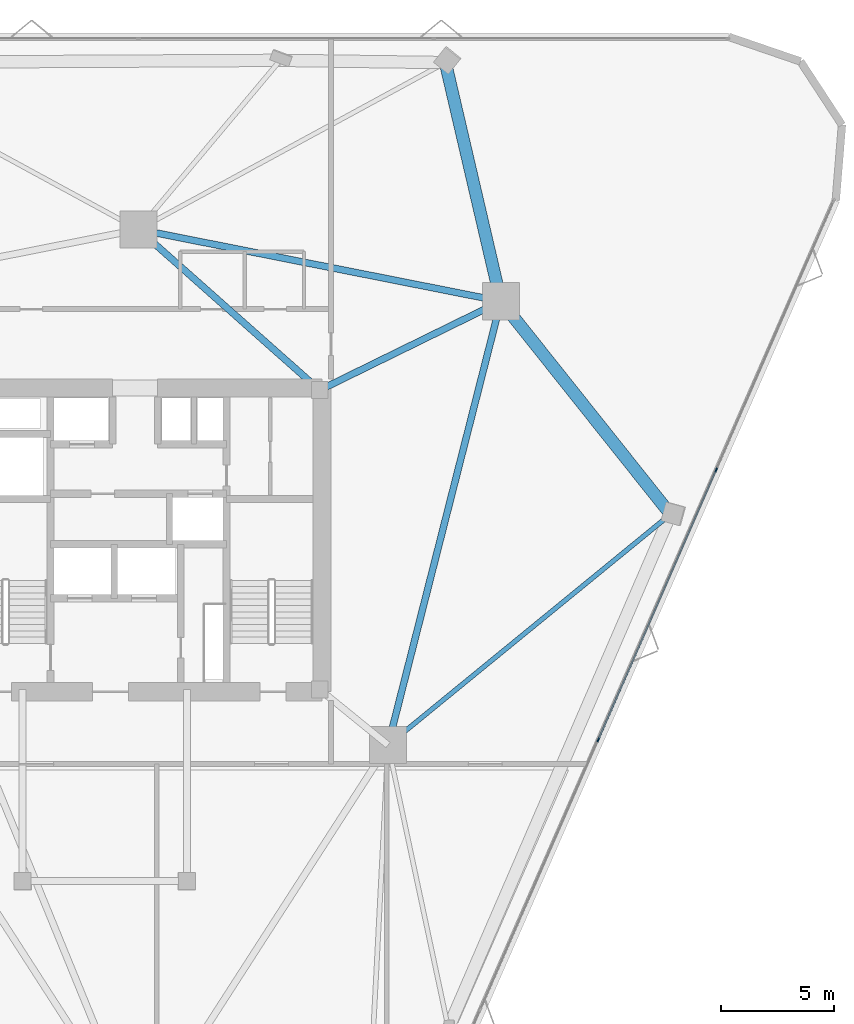
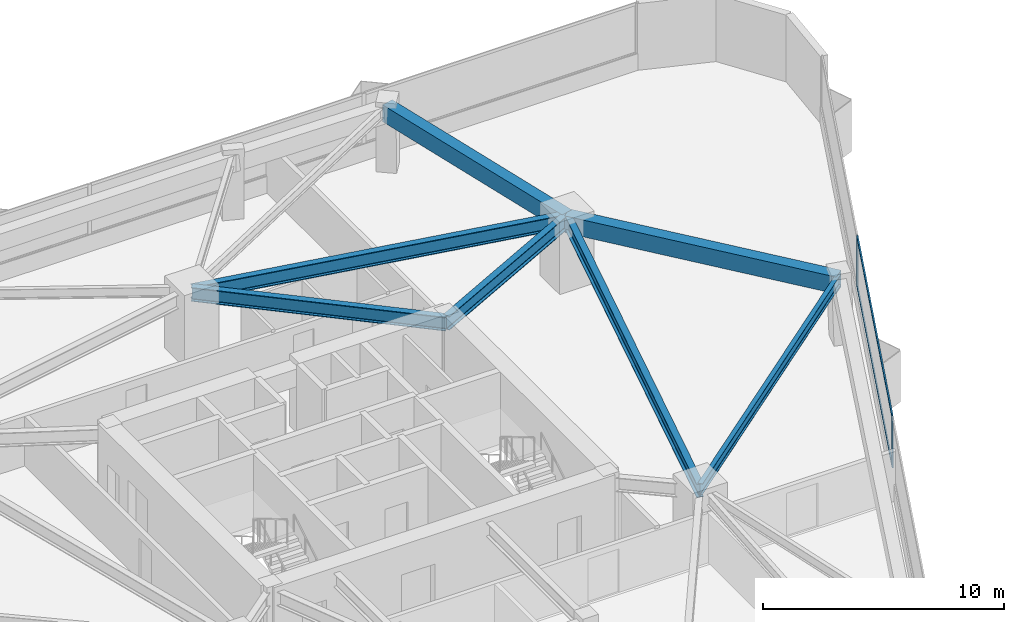
# One storey, part 8 of 18: 7 beams, 4 members, 1 element without a shape of its own.
"""IFC4 building model written with IfcOpenShell, lengths in metres."""

import ifcopenshell
import ifcopenshell.guid

model = None  # the IFC model being written
_history = None  # IfcOwnerHistory: only IFC2X3 demands one
_inside = {}  # id of a spatial element -> (the spatial element, [elements in it])
_under = {}  # id of a project, library or spatial element -> (it, [spatial elements below it])
_declared = {}  # id of a project -> (the project, [libraries it declares])
_typed = {}  # id of a type object -> (the type object, [elements of that type])
_made_of = {}  # id of a material, layer set ... -> (it, [elements and type objects made of it])


def new_model(schema):
    """Start an empty IFC model of exactly this schema.

    Asked for "IFC4X3", IfcOpenShell would pick the latest addendum, in which some entities
    have other attributes; the version numbers below select the first issue.
    IFC2X3 requires an IfcOwnerHistory on every rooted entity: one is made here for all.
    """
    global model, _history
    if schema == "IFC4X3":
        model = ifcopenshell.file(schema_version=(4, 3, 0, 0))
    else:
        model = ifcopenshell.file(schema=schema)
    _inside.clear()
    _under.clear()
    _declared.clear()
    _typed.clear()
    _made_of.clear()
    _history = None
    if model.schema == "IFC2X3":
        org = make("IfcOrganization", Name="unknown")
        user = make(
            "IfcPersonAndOrganization",
            ThePerson=make("IfcPerson", FamilyName="unknown"),
            TheOrganization=org,
        )
        app = make(
            "IfcApplication",
            ApplicationDeveloper=org,
            Version="unknown",
            ApplicationFullName="unknown",
            ApplicationIdentifier="unknown",
        )
        _history = make(
            "IfcOwnerHistory",
            OwningUser=user,
            OwningApplication=app,
            ChangeAction="ADDED",
            CreationDate=0,
        )
    return model


def make(cls, **values):
    """One entity of the class cls with the attributes given. An attribute that is None is left unset."""
    return model.create_entity(
        cls, **{name: value for name, value in values.items() if value is not None}
    )


def rooted(cls, **values):
    """An entity with a GlobalId (a new one), such as an element, a storey or a relation."""
    return make(cls, GlobalId=ifcopenshell.guid.new(), OwnerHistory=_history, **values)


def si_unit(unit_type, name, prefix=None):
    """IfcSIUnit, for example si_unit("LENGTHUNIT", "METRE", prefix="MILLI")."""
    return make("IfcSIUnit", UnitType=unit_type, Prefix=prefix, Name=name)


def assignment(units):
    """IfcUnitAssignment: the units of a project."""
    return None if units is None else make("IfcUnitAssignment", Units=units)


def point(xyz):
    """IfcCartesianPoint."""
    return None if xyz is None else make("IfcCartesianPoint", Coordinates=xyz)


def direction(xyz):
    """IfcDirection."""
    return None if xyz is None else make("IfcDirection", DirectionRatios=xyz)


def frame(location, z_axis=None, x_axis=None):
    """IfcAxis2Placement3D, a coordinate frame: its origin and axes. An axis left out is left unset."""
    return make(
        "IfcAxis2Placement3D",
        Location=point(location),
        Axis=direction(z_axis),
        RefDirection=direction(x_axis),
    )


def frame_2d(location, x_axis=None):
    """IfcAxis2Placement2D, a coordinate frame in the plane: its origin and x axis."""
    return make(
        "IfcAxis2Placement2D", Location=point(location), RefDirection=direction(x_axis)
    )


def origin():
    """The frame at (0, 0, 0) with its axes left unset."""
    return frame((0.0, 0.0, 0.0))


def origin_2d():
    """The frame at (0, 0) in the plane with its x axis left unset."""
    return frame_2d((0.0, 0.0))


def place(relative_to, where):
    """IfcLocalPlacement: puts the frame where relative to a parent placement (None: the world)."""
    return make(
        "IfcLocalPlacement", PlacementRelTo=relative_to, RelativePlacement=where
    )


def context(
    kind, dimensions, precision=None, world=None, true_north=None, identifier=None
):
    """IfcGeometricRepresentationContext, for example the 3D "Model" context."""
    return make(
        "IfcGeometricRepresentationContext",
        ContextIdentifier=identifier,
        ContextType=kind,
        CoordinateSpaceDimension=dimensions,
        Precision=precision,
        WorldCoordinateSystem=world,
        TrueNorth=true_north,
    )


def subcontext(parent, identifier, kind, view, scale=None):
    """IfcGeometricRepresentationSubContext, for example "Body" below "Model"."""
    return make(
        "IfcGeometricRepresentationSubContext",
        ContextIdentifier=identifier,
        ContextType=kind,
        ParentContext=parent,
        TargetScale=scale,
        TargetView=view,
    )


def project(units=None, contexts=None):
    """IfcProject with its units and contexts."""
    return rooted(
        "IfcProject",
        Name="project",
        RepresentationContexts=contexts,
        UnitsInContext=assignment(units),
    )


def spatial(cls, under=None, at=None, **own):
    """A site, building, storey or space (cls), placed at a placement, below another one or the project."""
    s = rooted(cls, ObjectPlacement=at, **own)
    if under is not None:
        _under.setdefault(under.id(), (under, []))[1].append(s)
    return s


def profile(cls, at=None, kind="AREA", **sizes):
    """A parametric profile (cls). Its sizes go by their IFC names, for example OverallWidth=200.0."""
    return make(cls, ProfileType=kind, Position=at, **sizes)


def rectangle(**sizes):
    """IfcRectangleProfileDef."""
    return profile("IfcRectangleProfileDef", **sizes)


def i_section(**sizes):
    """IfcIShapeProfileDef."""
    return profile("IfcIShapeProfileDef", **sizes)


def extrude(swept, where, along, depth):
    """IfcExtrudedAreaSolid: the profile swept, set in the frame where, extruded along a direction by depth."""
    return make(
        "IfcExtrudedAreaSolid",
        SweptArea=swept,
        Position=where,
        ExtrudedDirection=direction(along),
        Depth=depth,
    )


def shape(context_of_items, identifier, shape_type, items):
    """IfcShapeRepresentation: the items that make up one representation, for example the "Body"."""
    return make(
        "IfcShapeRepresentation",
        ContextOfItems=context_of_items,
        RepresentationIdentifier=identifier,
        RepresentationType=shape_type,
        Items=items,
    )


def material(Name=None, Category=None):
    """IfcMaterial."""
    return make("IfcMaterial", Name=Name, Category=Category)


def layer(
    of_material, thickness, ventilated=None, Name=None, Category=None, Priority=None
):
    """IfcMaterialLayer: one layer of a wall or slab, of a material (None: an air gap)."""
    return make(
        "IfcMaterialLayer",
        Material=of_material,
        LayerThickness=thickness,
        IsVentilated=ventilated,
        Name=Name,
        Category=Category,
        Priority=Priority,
    )


def layer_set(layers, Name=None):
    """IfcMaterialLayerSet."""
    return make("IfcMaterialLayerSet", MaterialLayers=layers, LayerSetName=Name)


def material_profile(
    of_material, cross_section, Name=None, Category=None, Priority=None
):
    """IfcMaterialProfile: a cross section and its material."""
    return make(
        "IfcMaterialProfile",
        Name=Name,
        Material=of_material,
        Profile=cross_section,
        Priority=Priority,
        Category=Category,
    )


def profile_set(profiles, Name=None, composite=None):
    """IfcMaterialProfileSet."""
    return make(
        "IfcMaterialProfileSet",
        Name=Name,
        MaterialProfiles=profiles,
        CompositeProfile=composite,
    )


def made_of(thing, what):
    """Note that an element or type object is made of a material, layer set ...; save() writes the relation."""
    if what is not None:
        _made_of.setdefault(what.id(), (what, []))[1].append(thing)
    return thing


def type_object(cls, material=None, **own):
    """A type object (cls), such as IfcWallType, which elements share."""
    return made_of(rooted(cls, **own), material)


def element(
    cls,
    number,
    at=None,
    inside=None,
    cuts=None,
    type_object=None,
    material=None,
    context=None,
    identifier="Body",
    shape_type=None,
    held_by="IfcProductDefinitionShape",
    body=None,
    shapes=None,
    **own,
):
    """One element of the class cls, such as IfcWall. Its Tag is "e" and its number.

    at: its placement. inside: the storey or other place that contains it. cuts: it is an
    opening in that element (IfcRelVoidsElement). A single representation is given by context,
    identifier, shape_type and body (its items); several are given by shapes. held_by: the class
    of the entity that holds the representations. save() writes the other relations.
    """
    e = rooted(cls, Tag="e%d" % number, ObjectPlacement=at, **own)
    if body is not None:
        shapes = [shape(context, identifier, shape_type, body)]
    if shapes is not None:
        e.Representation = make(held_by, Representations=shapes)
    if inside is not None:
        _inside.setdefault(inside.id(), (inside, []))[1].append(e)
    if cuts is not None:
        rooted(
            "IfcRelVoidsElement", RelatingBuildingElement=cuts, RelatedOpeningElement=e
        )
    if type_object is not None:
        _typed.setdefault(type_object.id(), (type_object, []))[1].append(e)
    return made_of(e, material)


def aggregate(whole, parts):
    """IfcRelAggregates: a whole, such as a stair, and the parts it consists of."""
    return rooted("IfcRelAggregates", RelatingObject=whole, RelatedObjects=parts)


def save(model, path):
    """Write the relations noted so far, then the file.

    IfcRelAggregates (storeys below a building ...), IfcRelContainedInSpatialStructure (elements
    in a storey), IfcRelDefinesByType, IfcRelAssociatesMaterial and IfcRelDeclares: one each for
    every whole, place, type object, material and project.
    """
    for whole, parts in _under.values():
        aggregate(whole, parts)
    for where, things in _inside.values():
        rooted(
            "IfcRelContainedInSpatialStructure",
            RelatedElements=things,
            RelatingStructure=where,
        )
    for kind, things in _typed.values():
        rooted("IfcRelDefinesByType", RelatedObjects=things, RelatingType=kind)
    for what, things in _made_of.values():
        rooted("IfcRelAssociatesMaterial", RelatedObjects=things, RelatingMaterial=what)
    for by, libraries in _declared.values():
        rooted("IfcRelDeclares", RelatingContext=by, RelatedDefinitions=libraries)
    model.write(path)


model = new_model("IFC4")

# Units and contexts
model_context = context("Model", 3, precision=1e-05, world=origin(), true_north=direction((0.0, 1.0)))
body_context = subcontext(model_context, "Body", "Model", "MODEL_VIEW")
ifc_project = project(units=[si_unit("LENGTHUNIT", "METRE"), si_unit("AREAUNIT", "SQUARE_METRE"), si_unit("VOLUMEUNIT", "CUBIC_METRE"), si_unit("PLANEANGLEUNIT", "RADIAN"), si_unit("MASSUNIT", "GRAM", prefix="KILO")], contexts=[model_context])

# Site, building, storey
site_placement = place(None, origin())
site = spatial("IfcSite", under=ifc_project, at=site_placement, CompositionType="ELEMENT")
building_placement = place(site_placement, origin())
building = spatial("IfcBuilding", under=site, at=building_placement, Name="Talyreon Biosciences Tower", CompositionType="ELEMENT")
storey_placement = place(building_placement, frame((0.0, 0.0, 89.60009765625)))
storey = spatial("IfcBuildingStorey", under=building, at=storey_placement, Name="L23", CompositionType="ELEMENT", Elevation=89.60009765625)

# Curtain wall, members
ifc_material_1 = material(Name="Thermally broken aluminium and low-E glazing", Category="aluminium")
ifc_layer = layer(ifc_material_1, 0.18994140625)
ifc_layer_set = layer_set([ifc_layer], Name="Thermally broken aluminium and low-E glazing")
curtain_wall_type = type_object("IfcCurtainWallType", Name="CurtainWall_Zone2Genomics", PredefinedType="NOTDEFINED", material=ifc_layer_set)
curtain_wall_placement = place(storey_placement, origin())
curtain_wall = element("IfcCurtainWall", 1, at=curtain_wall_placement, inside=storey, type_object=curtain_wall_type, Name="L23 Unitised Curtain Wall FCW-L23-08", PredefinedType="NOTDEFINED")
ifc_material_2 = material(Name="Anodised thermally broken aluminium", Category="aluminium")
ifc_material_profile_1 = material_profile(ifc_material_2, rectangle(XDim=0.06494140625, YDim=0.179931640625, at=origin_2d()), Name="ALUM MULLION 65x180")
ifc_profile_set_1 = profile_set([ifc_material_profile_1], Name="Anodised thermally broken aluminium")
member_type_1 = type_object("IfcMemberType", Name="CWMullion_65x180", PredefinedType="MULLION", material=ifc_profile_set_1)
member_1_placement = place(storey_placement, frame((91.666748046875, 71.106689453125, 0.809814453125), z_axis=(0.0, 0.0, 1.0), x_axis=(0.916278218967, -0.400542414041, 0.0)))
member_1 = element("IfcMember", 2, at=member_1_placement, type_object=member_type_1, Name="CW3 mullion 2", PredefinedType="MULLION", context=body_context, shape_type="SweptSolid", body=[
    extrude(rectangle(XDim=0.06494140625, YDim=0.179931640625, at=origin_2d()), origin(), (0.0, 0.0, 1.0), 2.565185546875),
])
member_2_placement = place(storey_placement, frame((86.4228515625, 59.11083984375, 0.809814453125), z_axis=(0.0, 0.0, 1.0), x_axis=(0.916278218967, -0.400542414041, 0.0)))
member_2 = element("IfcMember", 3, at=member_2_placement, type_object=member_type_1, Name="CW3 mullion 3", PredefinedType="MULLION", context=body_context, shape_type="SweptSolid", body=[
    extrude(rectangle(XDim=0.06494140625, YDim=0.179931640625, at=origin_2d()), origin(), (0.0, 0.0, 1.0), 2.565185546875),
])
ifc_material_profile_2 = material_profile(ifc_material_2, rectangle(XDim=0.06494140625, YDim=0.139892578125, at=origin_2d()), Name="ALUM TRANSOM 65x140")
ifc_profile_set_2 = profile_set([ifc_material_profile_2], Name="Anodised thermally broken aluminium")
member_type_2 = type_object("IfcMemberType", Name="CWTransom_65x140", PredefinedType="USERDEFINED", material=ifc_profile_set_2)
member_3_placement = place(storey_placement, frame((91.65380859375, 71.076904296875, 0.84228515625), z_axis=(-0.400554352205, -0.916273000218, 0.0), x_axis=(0.916273000218, -0.400554352205, 0.0)))
member_3 = element("IfcMember", 4, at=member_3_placement, type_object=member_type_2, Name="CW3 transom 2.1", ObjectType="TRANSOM", PredefinedType="USERDEFINED", context=body_context, shape_type="SweptSolid", body=[
    extrude(rectangle(XDim=0.06494140625, YDim=0.139892578125, at=origin_2d()), origin(), (0.0, 0.0, 1.0), 13.027099609375),
])
member_4_placement = place(storey_placement, frame((91.65380859375, 71.076904296875, 3.34228515625), z_axis=(-0.400554352205, -0.916273000218, 0.0), x_axis=(0.916273000218, -0.400554352205, 0.0)))
member_4 = element("IfcMember", 5, at=member_4_placement, type_object=member_type_2, Name="CW3 transom 2.2", ObjectType="TRANSOM", PredefinedType="USERDEFINED", context=body_context, shape_type="SweptSolid", body=[
    extrude(rectangle(XDim=0.06494140625, YDim=0.139892578125, at=origin_2d()), origin(), (0.0, 0.0, 1.0), 13.027099609375),
])
aggregate(curtain_wall, [member_1, member_2, member_3, member_4])

# Beams
ifc_material_3 = material(Name="Precast concrete C45/55", Category="concrete")
ifc_material_profile_3 = material_profile(ifc_material_3, rectangle(XDim=0.550048828125, YDim=0.85009765625, at=origin_2d()), Name="RCB 550x850")
ifc_profile_set_3 = profile_set([ifc_material_profile_3], Name="Precast concrete C45/55")
beam_type_1 = type_object("IfcBeamType", Name="ExpressedSpandrel_550x850", PredefinedType="SPANDREL", material=ifc_profile_set_3)
beam_1_placement = place(storey_placement, frame((89.637451171875, 69.13623046875, 2.949951171875), z_axis=(-0.622940963006, 0.782268851872, 0.0), x_axis=(-0.782268851872, -0.622940963006, 0.0)))
element("IfcBeam", 6, at=beam_1_placement, inside=storey, type_object=beam_type_1, Name="L23 Expressed Horizontal Concrete Spandrel 04", PredefinedType="SPANDREL", context=body_context, shape_type="SweptSolid", body=[
    extrude(rectangle(XDim=0.550048828125, YDim=0.85009765625, at=origin_2d()), origin(), (0.0, 0.0, 1.0), 12.09619140625),
])
beam_2_placement = place(storey_placement, frame((82.102294921875, 78.5986328125, 2.949951171875), z_axis=(-0.22668663188, 0.973967746348, 0.0), x_axis=(-0.973967746348, -0.22668663188, 0.0)))
element("IfcBeam", 7, at=beam_2_placement, inside=storey, type_object=beam_type_1, Name="L23 Expressed Horizontal Concrete Spandrel 05", PredefinedType="SPANDREL", context=body_context, shape_type="SweptSolid", body=[
    extrude(rectangle(XDim=0.550048828125, YDim=0.85009765625, at=origin_2d()), origin(), (0.0, 0.0, 1.0), 10.888427734375),
])
ifc_material_4 = material(Name="Steel SM355", Category="steel")
ifc_material_profile_4 = material_profile(ifc_material_4, i_section(OverallWidth=0.300048828125, OverallDepth=0.699951171875, WebThickness=0.01708984375, FlangeThickness=0.031982421875, FilletRadius=0.027099609375, at=origin_2d()), Name="HE700B")
ifc_profile_set_4 = profile_set([ifc_material_profile_4], Name="Steel SM355")
beam_type_2 = type_object("IfcBeamType", Name="SteelGirder_HE700B", PredefinedType="BEAM", material=ifc_profile_set_4)
beam_3_placement = place(storey_placement, frame((77.086181640625, 58.88037109375, 3.02490234375), z_axis=(0.246537082299, 0.969133358755, 0.0), x_axis=(-0.969133358755, 0.246537082299, 0.0)))
element("IfcBeam", 8, at=beam_3_placement, inside=storey, type_object=beam_type_2, Name="L23 Mega-Ring Girder 2", PredefinedType="BEAM", context=body_context, shape_type="SweptSolid", body=[
    extrude(i_section(OverallWidth=0.300048828125, OverallDepth=0.699951171875, WebThickness=0.01708984375, FlangeThickness=0.031982421875, FilletRadius=0.027099609375, at=origin_2d()), origin(), (0.0, 0.0, 1.0), 20.34619140625),
])
beam_4_placement = place(storey_placement, frame((82.102294921875, 78.5986328125, 3.02490234375), z_axis=(-0.980933730698, 0.194342522311, 0.0), x_axis=(-0.194342522311, -0.980933730698, 0.0)))
element("IfcBeam", 9, at=beam_4_placement, inside=storey, type_object=beam_type_2, Name="L23 Mega-Ring Girder 3", PredefinedType="BEAM", context=body_context, shape_type="SweptSolid", body=[
    extrude(i_section(OverallWidth=0.300048828125, OverallDepth=0.699951171875, WebThickness=0.01708984375, FlangeThickness=0.031982421875, FilletRadius=0.027099609375, at=origin_2d()), origin(), (0.0, 0.0, 1.0), 16.415283203125),
])
beam_5_placement = place(storey_placement, frame((74.050048828125, 74.64990234375, 3.02490234375), z_axis=(0.897852360314, 0.440296648952, 0.0), x_axis=(-0.440296648952, 0.897852360314, 0.0)))
element("IfcBeam", 10, at=beam_5_placement, inside=storey, type_object=beam_type_2, Name="L23 Radial Primary Girder 3", PredefinedType="BEAM", context=body_context, shape_type="SweptSolid", body=[
    extrude(i_section(OverallWidth=0.300048828125, OverallDepth=0.699951171875, WebThickness=0.01708984375, FlangeThickness=0.031982421875, FilletRadius=0.027099609375, at=origin_2d()), origin(), (0.0, 0.0, 1.0), 8.96826171875),
])
beam_6_placement = place(storey_placement, frame((74.050048828125, 74.64990234375, 3.02490234375), z_axis=(-0.748178733955, 0.663497235908, 0.0), x_axis=(-0.663497235908, -0.748178733955, 0.0)))
element("IfcBeam", 11, at=beam_6_placement, inside=storey, type_object=beam_type_2, Name="L23 Radial Primary Girder 4", PredefinedType="BEAM", context=body_context, shape_type="SweptSolid", body=[
    extrude(i_section(OverallWidth=0.300048828125, OverallDepth=0.699951171875, WebThickness=0.01708984375, FlangeThickness=0.031982421875, FilletRadius=0.027099609375, at=origin_2d()), origin(), (0.0, 0.0, 1.0), 10.759521484375),
])
ifc_material_profile_5 = material_profile(ifc_material_4, i_section(OverallWidth=0.2099609375, OverallDepth=0.550048828125, WebThickness=0.010986328125, FlangeThickness=0.01708984375, FilletRadius=0.02392578125, at=origin_2d()), Name="IPE550")
ifc_profile_set_5 = profile_set([ifc_material_profile_5], Name="Steel SM355")
beam_type_3 = type_object("IfcBeamType", Name="SteelJoist_IPE550", PredefinedType="JOIST", material=ifc_profile_set_5)
beam_7_placement = place(storey_placement, frame((77.086181640625, 58.88037109375, 3.099853515625), z_axis=(0.774361143749, 0.632743881086, 0.0), x_axis=(-0.632743881086, 0.774361143749, 0.0)))
element("IfcBeam", 12, at=beam_7_placement, inside=storey, type_object=beam_type_3, Name="L23 Radial Composite Floor Joist PC-SE2", PredefinedType="JOIST", context=body_context, shape_type="SweptSolid", body=[
    extrude(i_section(OverallWidth=0.2099609375, OverallDepth=0.550048828125, WebThickness=0.010986328125, FlangeThickness=0.01708984375, FilletRadius=0.02392578125, at=origin_2d()), origin(), (0.0, 0.0, 1.0), 16.20849609375),
])

save(model, "model.ifc")
